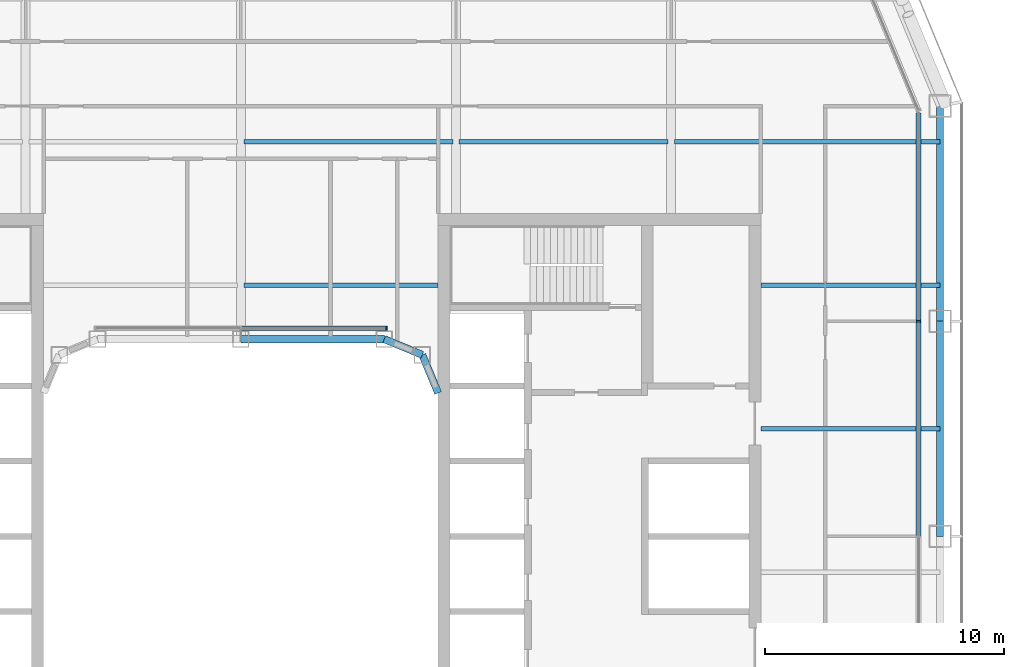
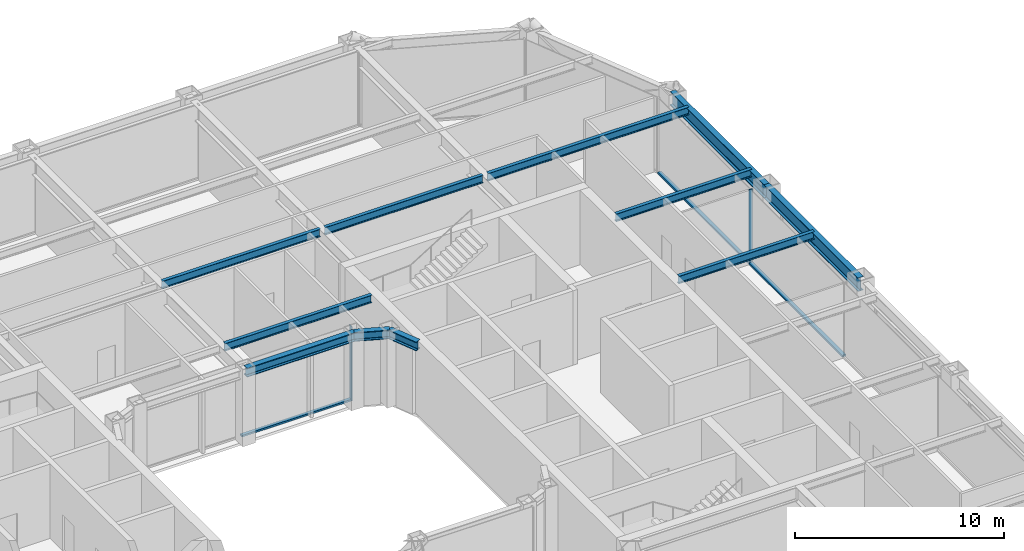
# One storey, part 8 of 23: 11 beams, 5 members, 2 elements without a shape of their own.
"""IFC4 building model written with IfcOpenShell, lengths in metres."""

from ifc_helpers import new_model, si_unit, direction, frame, origin, origin_2d, place, context, subcontext, project, spatial, rectangle, i_section, extrude, material, layer, layer_set, material_profile, profile_set, type_object, element, aggregate, save


model = new_model("IFC4")

# Units and contexts
model_context = context("Model", 3, precision=1e-05, world=origin(), true_north=direction((0.0, 1.0)))
body_context = subcontext(model_context, "Body", "Model", "MODEL_VIEW")
ifc_project = project(units=[si_unit("LENGTHUNIT", "METRE"), si_unit("AREAUNIT", "SQUARE_METRE"), si_unit("VOLUMEUNIT", "CUBIC_METRE"), si_unit("PLANEANGLEUNIT", "RADIAN"), si_unit("MASSUNIT", "GRAM", prefix="KILO")], contexts=[model_context])

# Site, building, storey
site_placement = place(None, origin())
site = spatial("IfcSite", under=ifc_project, at=site_placement, CompositionType="ELEMENT")
building_placement = place(site_placement, origin())
building = spatial("IfcBuilding", under=site, at=building_placement, Name="Siwar Civic Tower", CompositionType="ELEMENT")
storey_placement = place(building_placement, frame((0.0, 0.0, 127.199951171875)))
storey = spatial("IfcBuildingStorey", under=building, at=storey_placement, Name="L27", CompositionType="ELEMENT", Elevation=127.199951171875)

# Curtain wall, member
ifc_material_1 = material(Name="Aluminium and glass", Category="aluminium")
ifc_layer_1 = layer(ifc_material_1, 0.199951171875)
ifc_layer_set_1 = layer_set([ifc_layer_1], Name="Aluminium and glass")
curtain_wall_type_1 = type_object("IfcCurtainWallType", Name="ENV-CW-B", PredefinedType="NOTDEFINED", material=ifc_layer_set_1)
curtain_wall_1_placement = place(storey_placement, origin())
curtain_wall_1 = element("IfcCurtainWall", 1, at=curtain_wall_1_placement, inside=storey, type_object=curtain_wall_type_1, Name="Curtain wall B E", PredefinedType="NOTDEFINED")
ifc_material_2 = material(Name="Aluminium 6063-T6", Category="aluminium")
ifc_material_profile_1 = material_profile(ifc_material_2, rectangle(XDim=0.199951171875, YDim=0.06494140625, at=origin_2d()), Name="AL 200x65")
ifc_profile_set_1 = profile_set([ifc_material_profile_1], Name="Aluminium 6063-T6")
member_type_1 = type_object("IfcMemberType", Name="ENV-MULLION-B", PredefinedType="MULLION", material=ifc_profile_set_1)
member_1_placement = place(storey_placement, frame((28.35009765625, 9.0, 0.0), z_axis=(0.0, 0.0, 1.0), x_axis=(-1.0, 0.0, 0.0)))
member_1 = element("IfcMember", 2, at=member_1_placement, type_object=member_type_1, Name="Mullion B E 4", PredefinedType="MULLION", context=body_context, shape_type="SweptSolid", body=[
    extrude(rectangle(XDim=0.199951171875, YDim=0.06494140625, at=origin_2d()), origin(), (0.0, 0.0, 1.0), 4.35009765625),
])

ifc_material_3 = material(Name="Aluminium and glass", Category="aluminium")
ifc_layer_2 = layer(ifc_material_3, 0.179931640625)
ifc_layer_set_2 = layer_set([ifc_layer_2], Name="Aluminium and glass")
curtain_wall_type_2 = type_object("IfcCurtainWallType", Name="ENV-CW-W", PredefinedType="NOTDEFINED", material=ifc_layer_set_2)
curtain_wall_2_placement = place(storey_placement, origin())
curtain_wall_2 = element("IfcCurtainWall", 3, at=curtain_wall_2_placement, inside=storey, type_object=curtain_wall_type_2, Name="Curtain wall W WN", PredefinedType="NOTDEFINED")
ifc_material_4 = material(Name="Aluminium 6063-T6", Category="aluminium")
ifc_material_profile_2 = material_profile(ifc_material_4, rectangle(XDim=0.179931640625, YDim=0.06005859375, at=origin_2d()), Name="AL 180x60")
ifc_profile_set_2 = profile_set([ifc_material_profile_2], Name="Aluminium 6063-T6")
member_type_2 = type_object("IfcMemberType", Name="ENV-MULLION-W", PredefinedType="MULLION", material=ifc_profile_set_2)
member_2_placement = place(storey_placement, frame((6.091552734375, 8.7099609375, 0.0), z_axis=(0.0, 0.0, 1.0), x_axis=(0.0, -1.0, 0.0)))
member_2 = element("IfcMember", 4, at=member_2_placement, type_object=member_type_2, Name="Mullion W WN 1", PredefinedType="MULLION", context=body_context, shape_type="SweptSolid", body=[
    extrude(rectangle(XDim=0.179931640625, YDim=0.06005859375, at=origin_2d()), origin(), (0.0, 0.0, 1.0), 4.35009765625),
])

# Member
ifc_material_5 = material(Name="Aluminium 6063-T6", Category="aluminium")
ifc_material_profile_3 = material_profile(ifc_material_5, rectangle(XDim=0.199951171875, YDim=0.110107421875, at=origin_2d()), Name="AL 200x110")
ifc_profile_set_3 = profile_set([ifc_material_profile_3], Name="Aluminium 6063-T6")
member_type_3 = type_object("IfcMemberType", Name="ENV-TRANSOM-B", PredefinedType="USERDEFINED", material=ifc_profile_set_3)
member_3_placement = place(storey_placement, frame((28.35009765625, 0.032470703125, 0.054931640625), z_axis=(0.0, 1.0, 0.0), x_axis=(-1.0, 0.0, 0.0)))
member_3 = element("IfcMember", 5, at=member_3_placement, type_object=member_type_3, Name="Transom B E 3", ObjectType="TRANSOM", PredefinedType="USERDEFINED", context=body_context, shape_type="SweptSolid", body=[
    extrude(rectangle(XDim=0.199951171875, YDim=0.110107421875, at=origin_2d()), origin(), (0.0, 0.0, 1.0), 8.93505859375),
])

member_4_placement = place(storey_placement, frame((28.35009765625, 9.032470703125, 0.054931640625), z_axis=(0.0, 1.0, 0.0), x_axis=(-1.0, 0.0, 0.0)))
member_4 = element("IfcMember", 6, at=member_4_placement, type_object=member_type_3, Name="Transom B E 4", ObjectType="TRANSOM", PredefinedType="USERDEFINED", context=body_context, shape_type="SweptSolid", body=[
    extrude(rectangle(XDim=0.199951171875, YDim=0.110107421875, at=origin_2d()), origin(), (0.0, 0.0, 1.0), 8.6748046875),
])

aggregate(curtain_wall_1, [member_1, member_3, member_4])

ifc_material_6 = material(Name="Aluminium 6063-T6", Category="aluminium")
ifc_material_profile_4 = material_profile(ifc_material_6, rectangle(XDim=0.179931640625, YDim=0.10009765625, at=origin_2d()), Name="AL 180x100")
ifc_profile_set_4 = profile_set([ifc_material_profile_4], Name="Aluminium 6063-T6")
member_type_4 = type_object("IfcMemberType", Name="ENV-TRANSOM-W", PredefinedType="USERDEFINED", material=ifc_profile_set_4)
member_5_placement = place(storey_placement, frame((6.0615234375, 8.7099609375, 0.050048828125), z_axis=(-1.0, 0.0, 0.0), x_axis=(0.0, -1.0, 0.0)))
member_5 = element("IfcMember", 7, at=member_5_placement, type_object=member_type_4, Name="Transom W WN 1", ObjectType="TRANSOM", PredefinedType="USERDEFINED", context=body_context, shape_type="SweptSolid", body=[
    extrude(rectangle(XDim=0.179931640625, YDim=0.10009765625, at=origin_2d()), origin(), (0.0, 0.0, 1.0), 6.031494140625),
])

aggregate(curtain_wall_2, [member_2, member_5])

# Beams
ifc_material_7 = material(Name="Steel S355", Category="steel")
ifc_material_profile_5 = material_profile(ifc_material_7, i_section(OverallWidth=0.18994140625, OverallDepth=0.449951171875, WebThickness=0.009521484375, FlangeThickness=0.0146484375, FilletRadius=0.02099609375, at=origin_2d()), Name="IPE450")
ifc_profile_set_5 = profile_set([ifc_material_profile_5], Name="Steel S355")
beam_type_1 = type_object("IfcBeamType", Name="STR-FB-IPE450", PredefinedType="JOIST", material=ifc_profile_set_5)
beam_1_placement = place(storey_placement, frame((21.75, 4.5, 4.125), z_axis=(1.0, 0.0, 0.0), x_axis=(0.0, 1.0, 0.0)))
element("IfcBeam", 8, at=beam_1_placement, inside=storey, type_object=beam_type_1, Name="L27/bm/F026", PredefinedType="JOIST", context=body_context, shape_type="SweptSolid", body=[
    extrude(i_section(OverallWidth=0.18994140625, OverallDepth=0.449951171875, WebThickness=0.009521484375, FlangeThickness=0.0146484375, FilletRadius=0.02099609375, at=origin_2d()), origin(), (0.0, 0.0, 1.0), 7.5),
])
beam_2_placement = place(storey_placement, frame((0.1298828125, 10.5, 4.125), z_axis=(1.0, 0.0, 0.0), x_axis=(0.0, 1.0, 0.0)))
element("IfcBeam", 9, at=beam_2_placement, inside=storey, type_object=beam_type_1, Name="L27/bm/F029", PredefinedType="JOIST", context=body_context, shape_type="SweptSolid", body=[
    extrude(i_section(OverallWidth=0.18994140625, OverallDepth=0.449951171875, WebThickness=0.009521484375, FlangeThickness=0.0146484375, FilletRadius=0.02099609375, at=origin_2d()), origin(), (0.0, 0.0, 1.0), 8.1201171875),
])
beam_3_placement = place(storey_placement, frame((21.75, 10.5, 4.125), z_axis=(1.0, 0.0, 0.0), x_axis=(0.0, 1.0, 0.0)))
element("IfcBeam", 10, at=beam_3_placement, inside=storey, type_object=beam_type_1, Name="L27/bm/F030", PredefinedType="JOIST", context=body_context, shape_type="SweptSolid", body=[
    extrude(i_section(OverallWidth=0.18994140625, OverallDepth=0.449951171875, WebThickness=0.009521484375, FlangeThickness=0.0146484375, FilletRadius=0.02099609375, at=origin_2d()), origin(), (0.0, 0.0, 1.0), 7.5),
])
for number, where, z_axis, x_axis, name in (
    (11, (0.1298828125, 16.5, 4.125), (1.0, 0.0, 0.0), (0.0, 1.0, 0.0), "L27/bm/F034"),
    (12, (9.1298828125, 16.5, 4.125), (1.0, 0.0, 0.0), (0.0, 1.0, 0.0), "L27/bm/F035"),
):
    element("IfcBeam", number, at=place(storey_placement, frame(where, z_axis=z_axis, x_axis=x_axis)), inside=storey, type_object=beam_type_1, Name=name, PredefinedType="JOIST", context=body_context, shape_type="SweptSolid", body=[
        extrude(i_section(OverallWidth=0.18994140625, OverallDepth=0.449951171875, WebThickness=0.009521484375, FlangeThickness=0.0146484375, FilletRadius=0.02099609375, at=origin_2d()), origin(), (0.0, 0.0, 1.0), 8.740234375),
    ])
beam_4_placement = place(storey_placement, frame((18.1298828125, 16.5, 4.125), z_axis=(1.0, 0.0, 0.0), x_axis=(0.0, 1.0, 0.0)))
element("IfcBeam", 13, at=beam_4_placement, inside=storey, type_object=beam_type_1, Name="L27/bm/F036", PredefinedType="JOIST", context=body_context, shape_type="SweptSolid", body=[
    extrude(i_section(OverallWidth=0.18994140625, OverallDepth=0.449951171875, WebThickness=0.009521484375, FlangeThickness=0.0146484375, FilletRadius=0.02099609375, at=origin_2d()), origin(), (0.0, 0.0, 1.0), 11.1201171875),
])
ifc_material_8 = material(Name="Steel S355", Category="steel")
ifc_material_profile_6 = material_profile(ifc_material_8, i_section(OverallWidth=0.305908203125, OverallDepth=0.52392578125, WebThickness=0.02099609375, FlangeThickness=0.0400390625, FilletRadius=0.027099609375, at=origin_2d()), Name="HEM500")
ifc_profile_set_6 = profile_set([ifc_material_profile_6], Name="Steel S355")
beam_type_2 = type_object("IfcBeamType", Name="STR-RB-HEM500", PredefinedType="BEAM", material=ifc_profile_set_6)
beam_5_placement = place(storey_placement, frame((0.0, 8.25, 4.088134765625), z_axis=(1.0, 0.0, 0.0), x_axis=(0.0, 1.0, 0.0)))
element("IfcBeam", 14, at=beam_5_placement, inside=storey, type_object=beam_type_2, Name="L27/bm/RN2", PredefinedType="BEAM", context=body_context, shape_type="SweptSolid", body=[
    extrude(i_section(OverallWidth=0.305908203125, OverallDepth=0.52392578125, WebThickness=0.02099609375, FlangeThickness=0.0400390625, FilletRadius=0.027099609375, at=origin_2d()), origin(), (0.0, 0.0, 1.0), 6.0),
])
for number, where, z_axis, x_axis, name in (
    (15, (6.0, 8.25, 4.088134765625), (0.923901072997, -0.382631424892, 0.0), (0.382631424892, 0.923901072997, 0.0), "L27/bm/RN3"),
    (16, (7.591064453125, 7.591064453125, 4.088134765625), (0.382631424892, -0.923901072997, 0.0), (0.923901072997, 0.382631424892, 0.0), "L27/bm/RNEE"),
):
    element("IfcBeam", number, at=place(storey_placement, frame(where, z_axis=z_axis, x_axis=x_axis)), inside=storey, type_object=beam_type_2, Name=name, PredefinedType="BEAM", context=body_context, shape_type="SweptSolid", body=[
        extrude(i_section(OverallWidth=0.305908203125, OverallDepth=0.52392578125, WebThickness=0.02099609375, FlangeThickness=0.0400390625, FilletRadius=0.027099609375, at=origin_2d()), origin(), (0.0, 0.0, 1.0), 1.72216796875),
    ])
ifc_material_9 = material(Name="Steel S355", Category="steel")
ifc_material_profile_7 = material_profile(ifc_material_9, i_section(OverallWidth=0.300048828125, OverallDepth=0.800048828125, WebThickness=0.017578125, FlangeThickness=0.032958984375, FilletRadius=0.030029296875, at=origin_2d()), Name="HEB800")
ifc_profile_set_7 = profile_set([ifc_material_profile_7], Name="Steel S355")
beam_type_3 = type_object("IfcBeamType", Name="STR-SB-HEB800", PredefinedType="BEAM", material=ifc_profile_set_7)
for number, where, z_axis, x_axis, name in (
    (17, (29.25, 0.0, 3.949951171875), (0.0, 1.0, 0.0), (-1.0, 0.0, 0.0), "L27/bm/SE-2"),
    (18, (29.25, 9.0, 3.949951171875), (0.0, 1.0, 0.0), (-1.0, 0.0, 0.0), "L27/bm/SE-3"),
):
    element("IfcBeam", number, at=place(storey_placement, frame(where, z_axis=z_axis, x_axis=x_axis)), inside=storey, type_object=beam_type_3, Name=name, PredefinedType="BEAM", context=body_context, shape_type="SweptSolid", body=[
        extrude(i_section(OverallWidth=0.300048828125, OverallDepth=0.800048828125, WebThickness=0.017578125, FlangeThickness=0.032958984375, FilletRadius=0.030029296875, at=origin_2d()), origin(), (0.0, 0.0, 1.0), 9.0),
    ])

save(model, "model.ifc")
